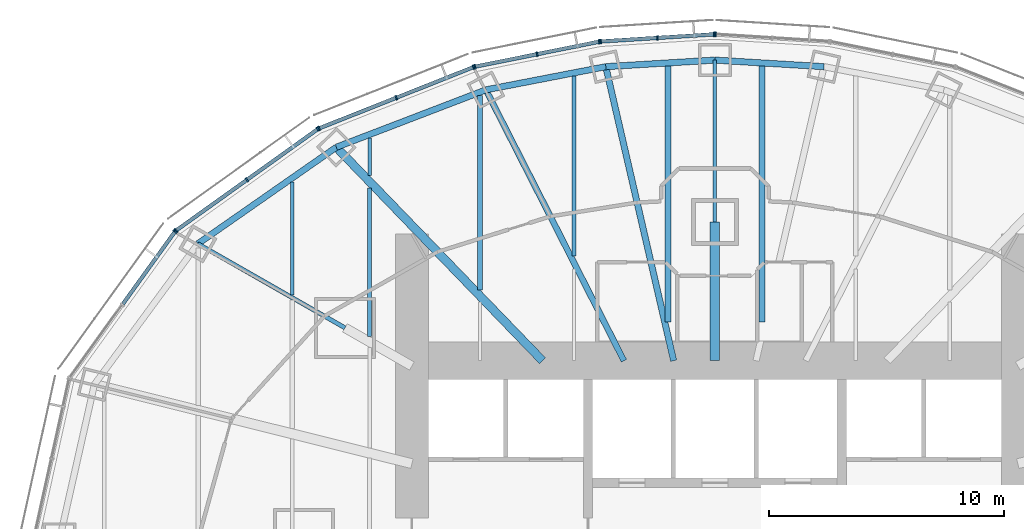
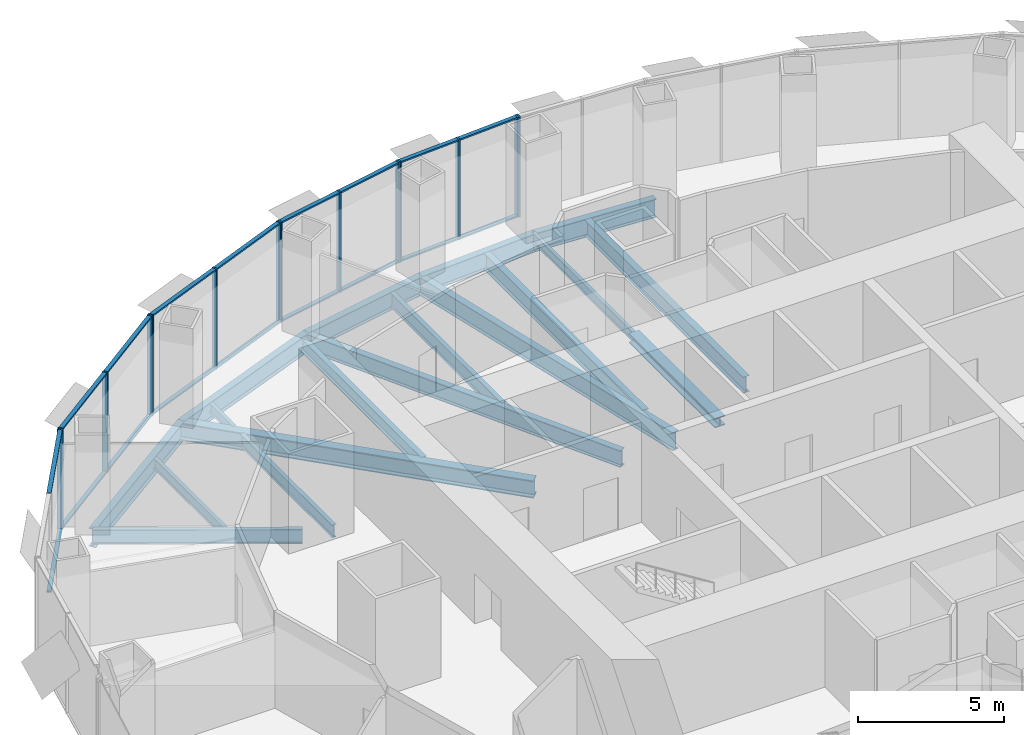
# One storey, part 7 of 17: 32 members, 18 beams, 6 elements without a shape of their own.
"""IFC4 building model written with IfcOpenShell, lengths in metres."""

from ifc_helpers import new_model, si_unit, direction, frame, origin, origin_2d, place, context, subcontext, project, spatial, rectangle, i_section, extrude, material, material_profile, profile_set, type_object, element, aggregate, save


model = new_model("IFC4")

# Units and contexts
model_context = context("Model", 3, precision=1e-05, world=origin(), true_north=direction((0.0, 1.0)))
body_context = subcontext(model_context, "Body", "Model", "MODEL_VIEW")
ifc_project = project(units=[si_unit("LENGTHUNIT", "METRE"), si_unit("AREAUNIT", "SQUARE_METRE"), si_unit("VOLUMEUNIT", "CUBIC_METRE"), si_unit("PLANEANGLEUNIT", "RADIAN"), si_unit("MASSUNIT", "GRAM", prefix="KILO")], contexts=[model_context])

# Site, building, storey
site_placement = place(None, origin())
site = spatial("IfcSite", under=ifc_project, at=site_placement, CompositionType="ELEMENT")
building_placement = place(site_placement, origin())
building = spatial("IfcBuilding", under=site, at=building_placement, Name="Lantaw Convention Tower", CompositionType="ELEMENT")
storey_placement = place(building_placement, frame((0.0, 0.0, 121.60009765625)))
storey = spatial("IfcBuildingStorey", under=building, at=storey_placement, Name="L28", CompositionType="ELEMENT", Elevation=121.60009765625)

# Beams
ifc_material_1 = material(Name="Steel ASTM A992", Category="steel")
ifc_material_profile_1 = material_profile(ifc_material_1, i_section(OverallWidth=0.2666015625, OverallDepth=0.76953125, WebThickness=0.015625, FlangeThickness=0.025390625, FilletRadius=0.0126953125, at=origin_2d()), Name="W30X132")
ifc_profile_set_1 = profile_set([ifc_material_profile_1], Name="Steel ASTM A992")
beam_type_1 = type_object("IfcBeamType", Name="Beam E W30X132", PredefinedType="SPANDREL", material=ifc_profile_set_1)
for number, where, z_axis, x_axis, name in (
    (1, (4.64501953125, 20.1201171875, -0.534912109375), (-0.998190892054, 0.06012439621, 0.0), (-0.06012439621, -0.998190892054, 0.0), "Edge beam 6"),
    (2, (0.0, 20.39990234375, -0.534912109375), (-0.998190892054, -0.06012439621, 0.0), (0.06012439621, -0.998190892054, 0.0), "Edge beam 7"),
):
    element("IfcBeam", number, at=place(storey_placement, frame(where, z_axis=z_axis, x_axis=x_axis)), inside=storey, type_object=beam_type_1, Name=name, PredefinedType="SPANDREL", context=body_context, shape_type="SweptSolid", body=[
        extrude(i_section(OverallWidth=0.2666015625, OverallDepth=0.76953125, WebThickness=0.015625, FlangeThickness=0.025390625, FilletRadius=0.0126953125, at=origin_2d()), origin(), (0.0, 0.0, 1.0), 4.6533203125),
    ])
beam_1_placement = place(storey_placement, frame((-4.64501953125, 20.1201171875, -0.534912109375), z_axis=(-0.981796805654, -0.189934284446, 0.0), x_axis=(0.189934284446, -0.981796805654, 0.0)))
element("IfcBeam", 3, at=beam_1_placement, inside=storey, type_object=beam_type_1, Name="Edge beam 8", PredefinedType="SPANDREL", context=body_context, shape_type="SweptSolid", body=[
    extrude(i_section(OverallWidth=0.2666015625, OverallDepth=0.76953125, WebThickness=0.015625, FlangeThickness=0.025390625, FilletRadius=0.0126953125, at=origin_2d()), origin(), (0.0, 0.0, 1.0), 5.1982421875),
])
beam_2_placement = place(storey_placement, frame((-9.74853515625, 19.1328125, -0.534912109375), z_axis=(-0.933691081977, -0.358079549033, 0.0), x_axis=(0.358079549033, -0.933691081977, 0.0)))
element("IfcBeam", 4, at=beam_2_placement, inside=storey, type_object=beam_type_1, Name="Edge beam 9", PredefinedType="SPANDREL", context=body_context, shape_type="SweptSolid", body=[
    extrude(i_section(OverallWidth=0.2666015625, OverallDepth=0.76953125, WebThickness=0.015625, FlangeThickness=0.025390625, FilletRadius=0.0126953125, at=origin_2d()), origin(), (0.0, 0.0, 1.0), 6.821533203125),
])
beam_3_placement = place(storey_placement, frame((-16.11767578125, 16.690185546875, -0.534912109375), z_axis=(-0.820310765287, -0.57191804339, 0.0), x_axis=(0.57191804339, -0.820310765287, 0.0)))
element("IfcBeam", 5, at=beam_3_placement, inside=storey, type_object=beam_type_1, Name="Edge beam 10", PredefinedType="SPANDREL", context=body_context, shape_type="SweptSolid", body=[
    extrude(i_section(OverallWidth=0.2666015625, OverallDepth=0.76953125, WebThickness=0.015625, FlangeThickness=0.025390625, FilletRadius=0.0126953125, at=origin_2d()), origin(), (0.0, 0.0, 1.0), 7.187744140625),
])
ifc_material_profile_2 = material_profile(ifc_material_1, i_section(OverallWidth=0.140380859375, OverallDepth=0.40380859375, WebThickness=0.007080078125, FlangeThickness=0.01123046875, FilletRadius=0.01025390625, at=origin_2d()), Name="W16X31")
ifc_profile_set_2 = profile_set([ifc_material_profile_2], Name="Steel ASTM A992")
beam_type_2 = type_object("IfcBeamType", Name="Beam G W16X31", PredefinedType="BEAM", material=ifc_profile_set_2)
beam_4_placement = place(storey_placement, frame((0.0, 13.5, -0.35205078125), z_axis=(0.0, 1.0, 0.0), x_axis=(-1.0, 0.0, 0.0)))
element("IfcBeam", 6, at=beam_4_placement, inside=storey, type_object=beam_type_2, Name="Floor girder on ray 7", PredefinedType="BEAM", context=body_context, shape_type="SweptSolid", body=[
    extrude(i_section(OverallWidth=0.140380859375, OverallDepth=0.40380859375, WebThickness=0.007080078125, FlangeThickness=0.01123046875, FilletRadius=0.01025390625, at=origin_2d()), origin(), (0.0, 0.0, 1.0), 6.89990234375),
])
ifc_material_profile_3 = material_profile(ifc_material_1, i_section(OverallWidth=0.177978515625, OverallDepth=0.599365234375, WebThickness=0.010009765625, FlangeThickness=0.012939453125, FilletRadius=0.012939453125, at=origin_2d()), Name="W24X55")
ifc_profile_set_3 = profile_set([ifc_material_profile_3], Name="Steel ASTM A992")
beam_type_3 = type_object("IfcBeamType", Name="Beam G W24X55", PredefinedType="BEAM", material=ifc_profile_set_3)
beam_5_placement = place(storey_placement, frame((-15.75, 9.0, -0.44970703125), z_axis=(-0.868245224608, 0.496135293993, 0.0), x_axis=(-0.496135293993, -0.868245224608, 0.0)))
element("IfcBeam", 7, at=beam_5_placement, inside=storey, type_object=beam_type_3, Name="Floor girder on ray 11", PredefinedType="BEAM", context=body_context, shape_type="SweptSolid", body=[
    extrude(i_section(OverallWidth=0.177978515625, OverallDepth=0.599365234375, WebThickness=0.010009765625, FlangeThickness=0.012939453125, FilletRadius=0.012939453125, at=origin_2d()), origin(), (0.0, 0.0, 1.0), 7.21435546875),
])
ifc_material_profile_4 = material_profile(ifc_material_1, i_section(OverallWidth=0.25390625, OverallDepth=0.700927734375, WebThickness=0.015380859375, FlangeThickness=0.02783203125, FilletRadius=0.01513671875, at=origin_2d()), Name="W27X129")
ifc_profile_set_4 = profile_set([ifc_material_profile_4], Name="Steel ASTM A992")
beam_type_4 = type_object("IfcBeamType", Name="Beam G W27X129", PredefinedType="BEAM", material=ifc_profile_set_4)
beam_6_placement = place(storey_placement, frame((-3.872314453125, 7.60009765625, -0.500732421875), z_axis=(-0.453991051051, 0.891006243281, 0.0), x_axis=(-0.891006243281, -0.453991051051, 0.0)))
element("IfcBeam", 8, at=beam_6_placement, inside=storey, type_object=beam_type_4, Name="Floor girder on ray 9", PredefinedType="BEAM", context=body_context, shape_type="SweptSolid", body=[
    extrude(i_section(OverallWidth=0.25390625, OverallDepth=0.700927734375, WebThickness=0.015380859375, FlangeThickness=0.02783203125, FilletRadius=0.01513671875, at=origin_2d()), origin(), (0.0, 0.0, 1.0), 12.943359375),
])
ifc_material_profile_5 = material_profile(ifc_material_1, i_section(OverallWidth=0.360595703125, OverallDepth=0.72900390625, WebThickness=0.023193359375, FlangeThickness=0.041015625, FilletRadius=0.0126953125, at=origin_2d()), Name="W27X235")
ifc_profile_set_5 = profile_set([ifc_material_profile_5], Name="Steel ASTM A992")
beam_type_5 = type_object("IfcBeamType", Name="Beam G W27X235", PredefinedType="BEAM", material=ifc_profile_set_5)
beam_7_placement = place(storey_placement, frame((-7.33935546875, 7.60009765625, -0.5146484375), z_axis=(-0.694663467407, 0.719334878239, 0.0), x_axis=(-0.719334878239, -0.694663467407, 0.0)))
element("IfcBeam", 9, at=beam_7_placement, inside=storey, type_object=beam_type_5, Name="Floor girder on ray 10", PredefinedType="BEAM", context=body_context, shape_type="SweptSolid", body=[
    extrude(i_section(OverallWidth=0.360595703125, OverallDepth=0.72900390625, WebThickness=0.023193359375, FlangeThickness=0.041015625, FilletRadius=0.0126953125, at=origin_2d()), origin(), (0.0, 0.0, 1.0), 12.63671875),
])
ifc_material_profile_6 = material_profile(ifc_material_1, i_section(OverallWidth=0.2666015625, OverallDepth=0.7568359375, WebThickness=0.013916015625, FlangeThickness=0.019287109375, FilletRadius=0.0126953125, at=origin_2d()), Name="W30X108")
ifc_profile_set_6 = profile_set([ifc_material_profile_6], Name="Steel ASTM A992")
beam_type_6 = type_object("IfcBeamType", Name="Beam G W30X108", PredefinedType="BEAM", material=ifc_profile_set_6)
beam_8_placement = place(storey_placement, frame((-1.754638671875, 7.60009765625, -0.528564453125), z_axis=(-0.224944153104, 0.974371658036, 0.0), x_axis=(-0.974371658036, -0.224944153104, 0.0)))
element("IfcBeam", 10, at=beam_8_placement, inside=storey, type_object=beam_type_6, Name="Floor girder on ray 8", PredefinedType="BEAM", context=body_context, shape_type="SweptSolid", body=[
    extrude(i_section(OverallWidth=0.2666015625, OverallDepth=0.7568359375, WebThickness=0.013916015625, FlangeThickness=0.019287109375, FilletRadius=0.0126953125, at=origin_2d()), origin(), (0.0, 0.0, 1.0), 12.849365234375),
])
ifc_material_profile_7 = material_profile(ifc_material_1, i_section(OverallWidth=0.40380859375, OverallDepth=0.406494140625, WebThickness=0.027099609375, FlangeThickness=0.043701171875, FilletRadius=0.01513671875, at=origin_2d()), Name="W14X233")
ifc_profile_set_7 = profile_set([ifc_material_profile_7], Name="Steel ASTM A992")
beam_type_7 = type_object("IfcBeamType", Name="Beam GM W14X233", PredefinedType="BEAM", material=ifc_profile_set_7)
beam_9_placement = place(storey_placement, frame((0.0, 7.60009765625, -0.353271484375), z_axis=(0.0, 1.0, 0.0), x_axis=(-1.0, 0.0, 0.0)))
element("IfcBeam", 11, at=beam_9_placement, inside=storey, type_object=beam_type_7, Name="Core link beam on ray 7", PredefinedType="BEAM", context=body_context, shape_type="SweptSolid", body=[
    extrude(i_section(OverallWidth=0.40380859375, OverallDepth=0.406494140625, WebThickness=0.027099609375, FlangeThickness=0.043701171875, FilletRadius=0.01513671875, at=origin_2d()), origin(), (0.0, 0.0, 1.0), 5.89990234375),
])
ifc_material_profile_8 = material_profile(ifc_material_1, i_section(OverallWidth=0.140380859375, OverallDepth=0.40380859375, WebThickness=0.007080078125, FlangeThickness=0.01123046875, FilletRadius=0.01025390625, at=origin_2d()), Name="W16X31")
ifc_profile_set_8 = profile_set([ifc_material_profile_8], Name="Steel ASTM A992")
beam_type_8 = type_object("IfcBeamType", Name="Beam J W16X31", PredefinedType="JOIST", material=ifc_profile_set_8)
beam_10_placement = place(storey_placement, frame((-14.699951171875, 15.48193359375, -0.35205078125), z_axis=(0.0, 1.0, 0.0), x_axis=(-1.0, 0.0, 0.0)))
element("IfcBeam", 12, at=beam_10_placement, inside=storey, type_object=beam_type_8, Name="Floor joist", PredefinedType="JOIST", context=body_context, shape_type="SweptSolid", body=[
    extrude(i_section(OverallWidth=0.140380859375, OverallDepth=0.40380859375, WebThickness=0.007080078125, FlangeThickness=0.01123046875, FilletRadius=0.01025390625, at=origin_2d()), origin(), (0.0, 0.0, 1.0), 1.609130859375),
])
ifc_material_profile_9 = material_profile(ifc_material_1, i_section(OverallWidth=0.15234375, OverallDepth=0.449462890625, WebThickness=0.007568359375, FlangeThickness=0.0107421875, FilletRadius=0.01025390625, at=origin_2d()), Name="W18X35")
ifc_profile_set_9 = profile_set([ifc_material_profile_9], Name="Steel ASTM A992")
beam_type_9 = type_object("IfcBeamType", Name="Beam J W18X35", PredefinedType="JOIST", material=ifc_profile_set_9)
beam_11_placement = place(storey_placement, frame((-18.0, 10.38818359375, -0.375), z_axis=(0.0, 1.0, 0.0), x_axis=(-1.0, 0.0, 0.0)))
element("IfcBeam", 13, at=beam_11_placement, inside=storey, type_object=beam_type_9, Name="Floor joist", PredefinedType="JOIST", context=body_context, shape_type="SweptSolid", body=[
    extrude(i_section(OverallWidth=0.15234375, OverallDepth=0.449462890625, WebThickness=0.007568359375, FlangeThickness=0.0107421875, FilletRadius=0.01025390625, at=origin_2d()), origin(), (0.0, 0.0, 1.0), 4.8271484375),
])
ifc_material_profile_10 = material_profile(ifc_material_1, i_section(OverallWidth=0.1650390625, OverallDepth=0.52587890625, WebThickness=0.0087890625, FlangeThickness=0.011474609375, FilletRadius=0.0126953125, at=origin_2d()), Name="W21X44")
ifc_profile_set_10 = profile_set([ifc_material_profile_10], Name="Steel ASTM A992")
beam_type_10 = type_object("IfcBeamType", Name="Beam J W21X44", PredefinedType="JOIST", material=ifc_profile_set_10)
beam_12_placement = place(storey_placement, frame((-14.699951171875, 8.632568359375, -0.4130859375), z_axis=(0.0, 1.0, 0.0), x_axis=(-1.0, 0.0, 0.0)))
element("IfcBeam", 14, at=beam_12_placement, inside=storey, type_object=beam_type_10, Name="Floor joist", PredefinedType="JOIST", context=body_context, shape_type="SweptSolid", body=[
    extrude(i_section(OverallWidth=0.1650390625, OverallDepth=0.52587890625, WebThickness=0.0087890625, FlangeThickness=0.011474609375, FilletRadius=0.0126953125, at=origin_2d()), origin(), (0.0, 0.0, 1.0), 6.330078125),
])
ifc_material_profile_11 = material_profile(ifc_material_1, i_section(OverallWidth=0.2099609375, OverallDepth=0.535888671875, WebThickness=0.010986328125, FlangeThickness=0.017333984375, FilletRadius=0.012939453125, at=origin_2d()), Name="W21X68")
ifc_profile_set_11 = profile_set([ifc_material_profile_11], Name="Steel ASTM A992")
beam_type_11 = type_object("IfcBeamType", Name="Beam J W21X68", PredefinedType="JOIST", material=ifc_profile_set_11)
beam_13_placement = place(storey_placement, frame((-10.0, 10.614990234375, -0.41796875), z_axis=(0.0, 1.0, 0.0), x_axis=(-1.0, 0.0, 0.0)))
element("IfcBeam", 15, at=beam_13_placement, inside=storey, type_object=beam_type_11, Name="Floor joist", PredefinedType="JOIST", context=body_context, shape_type="SweptSolid", body=[
    extrude(i_section(OverallWidth=0.2099609375, OverallDepth=0.535888671875, WebThickness=0.010986328125, FlangeThickness=0.017333984375, FilletRadius=0.012939453125, at=origin_2d()), origin(), (0.0, 0.0, 1.0), 8.278564453125),
])
ifc_material_profile_12 = material_profile(ifc_material_1, i_section(OverallWidth=0.177978515625, OverallDepth=0.599365234375, WebThickness=0.010009765625, FlangeThickness=0.012939453125, FilletRadius=0.012939453125, at=origin_2d()), Name="W24X55")
ifc_profile_set_12 = profile_set([ifc_material_profile_12], Name="Steel ASTM A992")
beam_type_12 = type_object("IfcBeamType", Name="Beam J W24X55", PredefinedType="JOIST", material=ifc_profile_set_12)
beam_14_placement = place(storey_placement, frame((-6.0, 12.055419921875, -0.44970703125), z_axis=(0.0, 1.0, 0.0), x_axis=(-1.0, 0.0, 0.0)))
element("IfcBeam", 16, at=beam_14_placement, inside=storey, type_object=beam_type_12, Name="Floor joist", PredefinedType="JOIST", context=body_context, shape_type="SweptSolid", body=[
    extrude(i_section(OverallWidth=0.177978515625, OverallDepth=0.599365234375, WebThickness=0.010009765625, FlangeThickness=0.012939453125, FilletRadius=0.012939453125, at=origin_2d()), origin(), (0.0, 0.0, 1.0), 7.666748046875),
])
ifc_material_profile_13 = material_profile(ifc_material_1, i_section(OverallWidth=0.25390625, OverallDepth=0.683349609375, WebThickness=0.012451171875, FlangeThickness=0.01904296875, FilletRadius=0.01513671875, at=origin_2d()), Name="W27X94")
ifc_profile_set_13 = profile_set([ifc_material_profile_13], Name="Steel ASTM A992")
beam_type_13 = type_object("IfcBeamType", Name="Beam J W27X94", PredefinedType="JOIST", material=ifc_profile_set_13)
for number, where, z_axis, x_axis, name in (
    (17, (-2.0, 9.255859375, -0.49169921875), (0.0, 1.0, 0.0), (-1.0, 0.0, 0.0), "Floor joist"),
    (18, (2.0, 9.255859375, -0.49169921875), (0.0, 1.0, 0.0), (-1.0, 0.0, 0.0), "Floor joist"),
):
    element("IfcBeam", number, at=place(storey_placement, frame(where, z_axis=z_axis, x_axis=x_axis)), inside=storey, type_object=beam_type_13, Name=name, PredefinedType="JOIST", context=body_context, shape_type="SweptSolid", body=[
        extrude(i_section(OverallWidth=0.25390625, OverallDepth=0.683349609375, WebThickness=0.012451171875, FlangeThickness=0.01904296875, FilletRadius=0.01513671875, at=origin_2d()), origin(), (0.0, 0.0, 1.0), 10.889892578125),
    ])

# Curtain wall, member
ifc_material_2 = material(Name="Aluminium framed curtain wall", Category="aluminium")
curtain_wall_type = type_object("IfcCurtainWallType", Name="Office curtain wall low rise, pale aluminium", PredefinedType="USERDEFINED", material=ifc_material_2)
curtain_wall_1_placement = place(storey_placement, origin())
curtain_wall_1 = element("IfcCurtainWall", 19, at=curtain_wall_1_placement, inside=storey, type_object=curtain_wall_type, Name="Office curtain wall low rise, pale aluminium L28", ObjectType="UNITISED CURTAIN WALL", PredefinedType="USERDEFINED")
ifc_material_3 = material(Name="Aluminium 6063-T6", Category="aluminium")
ifc_material_profile_14 = material_profile(ifc_material_3, rectangle(XDim=0.199951171875, YDim=0.06494140625, at=origin_2d()), Name="CW-O1 mullion 65x200")
ifc_profile_set_14 = profile_set([ifc_material_profile_14], Name="Aluminium 6063-T6")
member_type_1 = type_object("IfcMemberType", Name="CW-O1 mullion 65x200", PredefinedType="MULLION", material=ifc_profile_set_14)
member_1_placement = place(storey_placement, frame((0.032470703125, 21.498046875, -0.150146484375), z_axis=(0.0, 0.0, 1.0), x_axis=(-0.062865059466, -0.998022035978, 0.0)))
member_1 = element("IfcMember", 20, at=member_1_placement, type_object=member_type_1, Name="CW-O1 mullion 3", PredefinedType="MULLION", context=body_context, shape_type="SweptSolid", body=[
    extrude(rectangle(XDim=0.199951171875, YDim=0.06494140625, at=origin_2d()), origin(), (0.0, 0.0, 1.0), 4.199951171875),
])
aggregate(curtain_wall_1, [member_1])

# Curtain wall, members
curtain_wall_2_placement = place(storey_placement, origin())
curtain_wall_2 = element("IfcCurtainWall", 21, at=curtain_wall_2_placement, inside=storey, type_object=curtain_wall_type, Name="Office curtain wall low rise, pale aluminium L28", ObjectType="UNITISED CURTAIN WALL", PredefinedType="USERDEFINED")
member_2_placement = place(storey_placement, frame((-0.032470703125, 21.498046875, -0.150146484375), z_axis=(0.0, 0.0, 1.0), x_axis=(0.062865059466, -0.998022035978, 0.0)))
member_2 = element("IfcMember", 22, at=member_2_placement, type_object=member_type_1, Name="CW-O1 mullion 1", PredefinedType="MULLION", context=body_context, shape_type="SweptSolid", body=[
    extrude(rectangle(XDim=0.199951171875, YDim=0.06494140625, at=origin_2d()), origin(), (0.0, 0.0, 1.0), 4.199951171875),
])
member_3_placement = place(storey_placement, frame((-2.4462890625, 21.345947265625, -0.150146484375), z_axis=(0.0, 0.0, 1.0), x_axis=(0.062865059466, -0.998022035978, 0.0)))
member_3 = element("IfcMember", 23, at=member_3_placement, type_object=member_type_1, Name="CW-O1 mullion 2", PredefinedType="MULLION", context=body_context, shape_type="SweptSolid", body=[
    extrude(rectangle(XDim=0.199951171875, YDim=0.06494140625, at=origin_2d()), origin(), (0.0, 0.0, 1.0), 4.199951171875),
])
member_4_placement = place(storey_placement, frame((-4.860107421875, 21.19384765625, -0.150146484375), z_axis=(0.0, 0.0, 1.0), x_axis=(0.062865059466, -0.998022035978, 0.0)))
member_4 = element("IfcMember", 24, at=member_4_placement, type_object=member_type_1, Name="CW-O1 mullion 3", PredefinedType="MULLION", context=body_context, shape_type="SweptSolid", body=[
    extrude(rectangle(XDim=0.199951171875, YDim=0.06494140625, at=origin_2d()), origin(), (0.0, 0.0, 1.0), 4.199951171875),
])

curtain_wall_3_placement = place(storey_placement, origin())
curtain_wall_3 = element("IfcCurtainWall", 25, at=curtain_wall_3_placement, inside=storey, type_object=curtain_wall_type, Name="Office curtain wall low rise, pale aluminium L28", ObjectType="UNITISED CURTAIN WALL", PredefinedType="USERDEFINED")
member_5_placement = place(storey_placement, frame((-4.92431640625, 21.185302734375, -0.150146484375), z_axis=(0.0, 0.0, 1.0), x_axis=(0.197506809659, -0.980301514912, 0.0)))
member_5 = element("IfcMember", 26, at=member_5_placement, type_object=member_type_1, Name="CW-O1 mullion 1", PredefinedType="MULLION", context=body_context, shape_type="SweptSolid", body=[
    extrude(rectangle(XDim=0.199951171875, YDim=0.06494140625, at=origin_2d()), origin(), (0.0, 0.0, 1.0), 4.199951171875),
])
member_6_placement = place(storey_placement, frame((-7.5703125, 20.65234375, -0.150146484375), z_axis=(0.0, 0.0, 1.0), x_axis=(0.197506809659, -0.980301514912, 0.0)))
member_6 = element("IfcMember", 27, at=member_6_placement, type_object=member_type_1, Name="CW-O1 mullion 2", PredefinedType="MULLION", context=body_context, shape_type="SweptSolid", body=[
    extrude(rectangle(XDim=0.199951171875, YDim=0.06494140625, at=origin_2d()), origin(), (0.0, 0.0, 1.0), 4.199951171875),
])
member_7_placement = place(storey_placement, frame((-10.216064453125, 20.119140625, -0.150146484375), z_axis=(0.0, 0.0, 1.0), x_axis=(0.197506809659, -0.980301514912, 0.0)))
member_7 = element("IfcMember", 28, at=member_7_placement, type_object=member_type_1, Name="CW-O1 mullion 3", PredefinedType="MULLION", context=body_context, shape_type="SweptSolid", body=[
    extrude(rectangle(XDim=0.199951171875, YDim=0.06494140625, at=origin_2d()), origin(), (0.0, 0.0, 1.0), 4.199951171875),
])

curtain_wall_4_placement = place(storey_placement, origin())
curtain_wall_4 = element("IfcCurtainWall", 29, at=curtain_wall_4_placement, inside=storey, type_object=curtain_wall_type, Name="Office curtain wall low rise, pale aluminium L28", ObjectType="UNITISED CURTAIN WALL", PredefinedType="USERDEFINED")
member_8_placement = place(storey_placement, frame((-10.2783203125, 20.100830078125, -0.150146484375), z_axis=(0.0, 0.0, 1.0), x_axis=(0.368701907483, -0.929547687544, 0.0)))
member_8 = element("IfcMember", 30, at=member_8_placement, type_object=member_type_1, Name="CW-O1 mullion 1", PredefinedType="MULLION", context=body_context, shape_type="SweptSolid", body=[
    extrude(rectangle(XDim=0.199951171875, YDim=0.06494140625, at=origin_2d()), origin(), (0.0, 0.0, 1.0), 4.199951171875),
])
member_9_placement = place(storey_placement, frame((-13.56494140625, 18.797119140625, -0.150146484375), z_axis=(0.0, 0.0, 1.0), x_axis=(0.368701907483, -0.929547687544, 0.0)))
member_9 = element("IfcMember", 31, at=member_9_placement, type_object=member_type_1, Name="CW-O1 mullion 2", PredefinedType="MULLION", context=body_context, shape_type="SweptSolid", body=[
    extrude(rectangle(XDim=0.199951171875, YDim=0.06494140625, at=origin_2d()), origin(), (0.0, 0.0, 1.0), 4.199951171875),
])
member_10_placement = place(storey_placement, frame((-16.8515625, 17.49365234375, -0.150146484375), z_axis=(0.0, 0.0, 1.0), x_axis=(0.368701907483, -0.929547687544, 0.0)))
member_10 = element("IfcMember", 32, at=member_10_placement, type_object=member_type_1, Name="CW-O1 mullion 3", PredefinedType="MULLION", context=body_context, shape_type="SweptSolid", body=[
    extrude(rectangle(XDim=0.199951171875, YDim=0.06494140625, at=origin_2d()), origin(), (0.0, 0.0, 1.0), 4.199951171875),
])

curtain_wall_5_placement = place(storey_placement, origin())
curtain_wall_5 = element("IfcCurtainWall", 33, at=curtain_wall_5_placement, inside=storey, type_object=curtain_wall_type, Name="Office curtain wall low rise, pale aluminium L28", ObjectType="UNITISED CURTAIN WALL", PredefinedType="USERDEFINED")
member_11_placement = place(storey_placement, frame((-16.908203125, 17.462646484375, -0.150146484375), z_axis=(0.0, 0.0, 1.0), x_axis=(0.581972695693, -0.813208325995, 0.0)))
member_11 = element("IfcMember", 34, at=member_11_placement, type_object=member_type_1, Name="CW-O1 mullion 1", PredefinedType="MULLION", context=body_context, shape_type="SweptSolid", body=[
    extrude(rectangle(XDim=0.199951171875, YDim=0.06494140625, at=origin_2d()), origin(), (0.0, 0.0, 1.0), 4.199951171875),
])
member_12_placement = place(storey_placement, frame((-19.92529296875, 15.303466796875, -0.150146484375), z_axis=(0.0, 0.0, 1.0), x_axis=(0.581972695693, -0.813208325995, 0.0)))
member_12 = element("IfcMember", 35, at=member_12_placement, type_object=member_type_1, Name="CW-O1 mullion 2", PredefinedType="MULLION", context=body_context, shape_type="SweptSolid", body=[
    extrude(rectangle(XDim=0.199951171875, YDim=0.06494140625, at=origin_2d()), origin(), (0.0, 0.0, 1.0), 4.199951171875),
])
member_13_placement = place(storey_placement, frame((-22.942626953125, 13.14404296875, -0.150146484375), z_axis=(0.0, 0.0, 1.0), x_axis=(0.581972695693, -0.813208325995, 0.0)))
member_13 = element("IfcMember", 36, at=member_13_placement, type_object=member_type_1, Name="CW-O1 mullion 3", PredefinedType="MULLION", context=body_context, shape_type="SweptSolid", body=[
    extrude(rectangle(XDim=0.199951171875, YDim=0.06494140625, at=origin_2d()), origin(), (0.0, 0.0, 1.0), 4.199951171875),
])

# Curtain wall, member
curtain_wall_6_placement = place(storey_placement, origin())
curtain_wall_6 = element("IfcCurtainWall", 37, at=curtain_wall_6_placement, inside=storey, type_object=curtain_wall_type, Name="Office curtain wall low rise, pale aluminium L28", ObjectType="UNITISED CURTAIN WALL", PredefinedType="USERDEFINED")
member_14_placement = place(storey_placement, frame((-22.988037109375, 13.098876953125, -0.150146484375), z_axis=(0.0, 0.0, 1.0), x_axis=(0.811384633629, -0.584512597221, 0.0)))
member_14 = element("IfcMember", 38, at=member_14_placement, type_object=member_type_1, Name="CW-O1 mullion 1", PredefinedType="MULLION", context=body_context, shape_type="SweptSolid", body=[
    extrude(rectangle(XDim=0.199951171875, YDim=0.06494140625, at=origin_2d()), origin(), (0.0, 0.0, 1.0), 4.199951171875),
])

# Member
ifc_material_profile_15 = material_profile(ifc_material_3, rectangle(XDim=0.159912109375, YDim=0.06494140625, at=origin_2d()), Name="CW-O1 transom 65x160")
ifc_profile_set_15 = profile_set([ifc_material_profile_15], Name="Aluminium 6063-T6")
member_type_2 = type_object("IfcMemberType", Name="CW-O1 transom 65x160", PredefinedType="USERDEFINED", material=ifc_profile_set_15)
member_15_placement = place(storey_placement, frame((-0.06494140625, 21.495849609375, -0.11767578125), z_axis=(-0.998022188463, -0.062862638625, 0.0), x_axis=(0.062862638625, -0.998022188463, 0.0)))
member_15 = element("IfcMember", 39, at=member_15_placement, type_object=member_type_2, Name="CW-O1 transom 1.1", ObjectType="TRANSOM", PredefinedType="USERDEFINED", context=body_context, shape_type="SweptSolid", body=[
    extrude(rectangle(XDim=0.159912109375, YDim=0.06494140625, at=origin_2d()), origin(), (0.0, 0.0, 1.0), 2.353515625),
])

member_16_placement = place(storey_placement, frame((-0.06494140625, 21.495849609375, 4.017333984375), z_axis=(-0.998022188463, -0.062862638625, 0.0), x_axis=(0.062862638625, -0.998022188463, 0.0)))
member_16 = element("IfcMember", 40, at=member_16_placement, type_object=member_type_2, Name="CW-O1 transom 1.2", ObjectType="TRANSOM", PredefinedType="USERDEFINED", context=body_context, shape_type="SweptSolid", body=[
    extrude(rectangle(XDim=0.159912109375, YDim=0.06494140625, at=origin_2d()), origin(), (0.0, 0.0, 1.0), 2.353515625),
])

member_17_placement = place(storey_placement, frame((-2.478759765625, 21.34375, -0.11767578125), z_axis=(-0.998022188463, -0.062862638625, 0.0), x_axis=(0.062862638625, -0.998022188463, 0.0)))
member_17 = element("IfcMember", 41, at=member_17_placement, type_object=member_type_2, Name="CW-O1 transom 2.1", ObjectType="TRANSOM", PredefinedType="USERDEFINED", context=body_context, shape_type="SweptSolid", body=[
    extrude(rectangle(XDim=0.159912109375, YDim=0.06494140625, at=origin_2d()), origin(), (0.0, 0.0, 1.0), 2.353515625),
])

member_18_placement = place(storey_placement, frame((-2.478759765625, 21.34375, 4.017333984375), z_axis=(-0.998022188463, -0.062862638625, 0.0), x_axis=(0.062862638625, -0.998022188463, 0.0)))
member_18 = element("IfcMember", 42, at=member_18_placement, type_object=member_type_2, Name="CW-O1 transom 2.2", ObjectType="TRANSOM", PredefinedType="USERDEFINED", context=body_context, shape_type="SweptSolid", body=[
    extrude(rectangle(XDim=0.159912109375, YDim=0.06494140625, at=origin_2d()), origin(), (0.0, 0.0, 1.0), 2.353515625),
])

aggregate(curtain_wall_2, [member_2, member_3, member_4, member_15, member_16, member_17, member_18])

member_19_placement = place(storey_placement, frame((-4.956298828125, 21.178955078125, -0.11767578125), z_axis=(-0.980298027092, -0.197524120247, 0.0), x_axis=(0.197524120247, -0.980298027092, 0.0)))
member_19 = element("IfcMember", 43, at=member_19_placement, type_object=member_type_2, Name="CW-O1 transom 1.1", ObjectType="TRANSOM", PredefinedType="USERDEFINED", context=body_context, shape_type="SweptSolid", body=[
    extrude(rectangle(XDim=0.159912109375, YDim=0.06494140625, at=origin_2d()), origin(), (0.0, 0.0, 1.0), 2.634033203125),
])

member_20_placement = place(storey_placement, frame((-4.956298828125, 21.178955078125, 4.017333984375), z_axis=(-0.980298027092, -0.197524120247, 0.0), x_axis=(0.197524120247, -0.980298027092, 0.0)))
member_20 = element("IfcMember", 44, at=member_20_placement, type_object=member_type_2, Name="CW-O1 transom 1.2", ObjectType="TRANSOM", PredefinedType="USERDEFINED", context=body_context, shape_type="SweptSolid", body=[
    extrude(rectangle(XDim=0.159912109375, YDim=0.06494140625, at=origin_2d()), origin(), (0.0, 0.0, 1.0), 2.634033203125),
])

member_21_placement = place(storey_placement, frame((-7.60205078125, 20.64599609375, -0.11767578125), z_axis=(-0.980301643003, -0.197506173891, 0.0), x_axis=(0.197506173891, -0.980301643003, 0.0)))
member_21 = element("IfcMember", 45, at=member_21_placement, type_object=member_type_2, Name="CW-O1 transom 2.1", ObjectType="TRANSOM", PredefinedType="USERDEFINED", context=body_context, shape_type="SweptSolid", body=[
    extrude(rectangle(XDim=0.159912109375, YDim=0.06494140625, at=origin_2d()), origin(), (0.0, 0.0, 1.0), 2.63427734375),
])

member_22_placement = place(storey_placement, frame((-7.60205078125, 20.64599609375, 4.017333984375), z_axis=(-0.980301643003, -0.197506173891, 0.0), x_axis=(0.197506173891, -0.980301643003, 0.0)))
member_22 = element("IfcMember", 46, at=member_22_placement, type_object=member_type_2, Name="CW-O1 transom 2.2", ObjectType="TRANSOM", PredefinedType="USERDEFINED", context=body_context, shape_type="SweptSolid", body=[
    extrude(rectangle(XDim=0.159912109375, YDim=0.06494140625, at=origin_2d()), origin(), (0.0, 0.0, 1.0), 2.63427734375),
])

aggregate(curtain_wall_3, [member_5, member_6, member_7, member_19, member_20, member_21, member_22])

member_23_placement = place(storey_placement, frame((-10.308349609375, 20.0888671875, -0.11767578125), z_axis=(-0.929540081544, -0.368721082668, 0.0), x_axis=(0.368721082668, -0.929540081544, 0.0)))
member_23 = element("IfcMember", 47, at=member_23_placement, type_object=member_type_2, Name="CW-O1 transom 1.1", ObjectType="TRANSOM", PredefinedType="USERDEFINED", context=body_context, shape_type="SweptSolid", body=[
    extrude(rectangle(XDim=0.159912109375, YDim=0.06494140625, at=origin_2d()), origin(), (0.0, 0.0, 1.0), 3.470947265625),
])

member_24_placement = place(storey_placement, frame((-10.308349609375, 20.0888671875, 4.017333984375), z_axis=(-0.929540081544, -0.368721082668, 0.0), x_axis=(0.368721082668, -0.929540081544, 0.0)))
member_24 = element("IfcMember", 48, at=member_24_placement, type_object=member_type_2, Name="CW-O1 transom 1.2", ObjectType="TRANSOM", PredefinedType="USERDEFINED", context=body_context, shape_type="SweptSolid", body=[
    extrude(rectangle(XDim=0.159912109375, YDim=0.06494140625, at=origin_2d()), origin(), (0.0, 0.0, 1.0), 3.470947265625),
])

member_25_placement = place(storey_placement, frame((-13.594970703125, 18.78515625, -0.11767578125), z_axis=(-0.929564188507, -0.368660303592, 0.0), x_axis=(0.368660303592, -0.929564188507, 0.0)))
member_25 = element("IfcMember", 49, at=member_25_placement, type_object=member_type_2, Name="CW-O1 transom 2.1", ObjectType="TRANSOM", PredefinedType="USERDEFINED", context=body_context, shape_type="SweptSolid", body=[
    extrude(rectangle(XDim=0.159912109375, YDim=0.06494140625, at=origin_2d()), origin(), (0.0, 0.0, 1.0), 3.470703125),
])

member_26_placement = place(storey_placement, frame((-13.594970703125, 18.78515625, 4.017333984375), z_axis=(-0.929564188507, -0.368660303592, 0.0), x_axis=(0.368660303592, -0.929564188507, 0.0)))
member_26 = element("IfcMember", 50, at=member_26_placement, type_object=member_type_2, Name="CW-O1 transom 2.2", ObjectType="TRANSOM", PredefinedType="USERDEFINED", context=body_context, shape_type="SweptSolid", body=[
    extrude(rectangle(XDim=0.159912109375, YDim=0.06494140625, at=origin_2d()), origin(), (0.0, 0.0, 1.0), 3.470703125),
])

aggregate(curtain_wall_4, [member_8, member_9, member_10, member_23, member_24, member_25, member_26])

member_27_placement = place(storey_placement, frame((-16.9345703125, 17.44384765625, -0.11767578125), z_axis=(-0.813190089133, -0.581998177777, 0.0), x_axis=(0.581998177777, -0.813190089133, 0.0)))
member_27 = element("IfcMember", 51, at=member_27_placement, type_object=member_type_2, Name="CW-O1 transom 1.1", ObjectType="TRANSOM", PredefinedType="USERDEFINED", context=body_context, shape_type="SweptSolid", body=[
    extrude(rectangle(XDim=0.159912109375, YDim=0.06494140625, at=origin_2d()), origin(), (0.0, 0.0, 1.0), 3.645263671875),
])

member_28_placement = place(storey_placement, frame((-16.9345703125, 17.44384765625, 4.017333984375), z_axis=(-0.813190089133, -0.581998177777, 0.0), x_axis=(0.581998177777, -0.813190089133, 0.0)))
member_28 = element("IfcMember", 52, at=member_28_placement, type_object=member_type_2, Name="CW-O1 transom 1.2", ObjectType="TRANSOM", PredefinedType="USERDEFINED", context=body_context, shape_type="SweptSolid", body=[
    extrude(rectangle(XDim=0.159912109375, YDim=0.06494140625, at=origin_2d()), origin(), (0.0, 0.0, 1.0), 3.645263671875),
])

member_29_placement = place(storey_placement, frame((-19.951904296875, 15.284423828125, -0.11767578125), z_axis=(-0.813221785972, -0.581953887194, 0.0), x_axis=(0.581953887194, -0.813221785972, 0.0)))
member_29 = element("IfcMember", 53, at=member_29_placement, type_object=member_type_2, Name="CW-O1 transom 2.1", ObjectType="TRANSOM", PredefinedType="USERDEFINED", context=body_context, shape_type="SweptSolid", body=[
    extrude(rectangle(XDim=0.159912109375, YDim=0.06494140625, at=origin_2d()), origin(), (0.0, 0.0, 1.0), 3.645263671875),
])

member_30_placement = place(storey_placement, frame((-19.951904296875, 15.284423828125, 4.017333984375), z_axis=(-0.813221785972, -0.581953887194, 0.0), x_axis=(0.581953887194, -0.813221785972, 0.0)))
member_30 = element("IfcMember", 54, at=member_30_placement, type_object=member_type_2, Name="CW-O1 transom 2.2", ObjectType="TRANSOM", PredefinedType="USERDEFINED", context=body_context, shape_type="SweptSolid", body=[
    extrude(rectangle(XDim=0.159912109375, YDim=0.06494140625, at=origin_2d()), origin(), (0.0, 0.0, 1.0), 3.645263671875),
])

aggregate(curtain_wall_5, [member_11, member_12, member_13, member_27, member_28, member_29, member_30])

member_31_placement = place(storey_placement, frame((-23.007080078125, 13.072509765625, -0.11767578125), z_axis=(-0.584512973979, -0.811384362217, 0.0), x_axis=(0.811384362217, -0.584512973979, 0.0)))
member_31 = element("IfcMember", 55, at=member_31_placement, type_object=member_type_2, Name="CW-O1 transom 1.1", ObjectType="TRANSOM", PredefinedType="USERDEFINED", context=body_context, shape_type="SweptSolid", body=[
    extrude(rectangle(XDim=0.159912109375, YDim=0.06494140625, at=origin_2d()), origin(), (0.0, 0.0, 1.0), 3.767578125),
])

member_32_placement = place(storey_placement, frame((-23.007080078125, 13.072509765625, 4.017333984375), z_axis=(-0.584512973979, -0.811384362217, 0.0), x_axis=(0.811384362217, -0.584512973979, 0.0)))
member_32 = element("IfcMember", 56, at=member_32_placement, type_object=member_type_2, Name="CW-O1 transom 1.2", ObjectType="TRANSOM", PredefinedType="USERDEFINED", context=body_context, shape_type="SweptSolid", body=[
    extrude(rectangle(XDim=0.159912109375, YDim=0.06494140625, at=origin_2d()), origin(), (0.0, 0.0, 1.0), 3.767578125),
])

aggregate(curtain_wall_6, [member_14, member_31, member_32])

save(model, "model.ifc")
